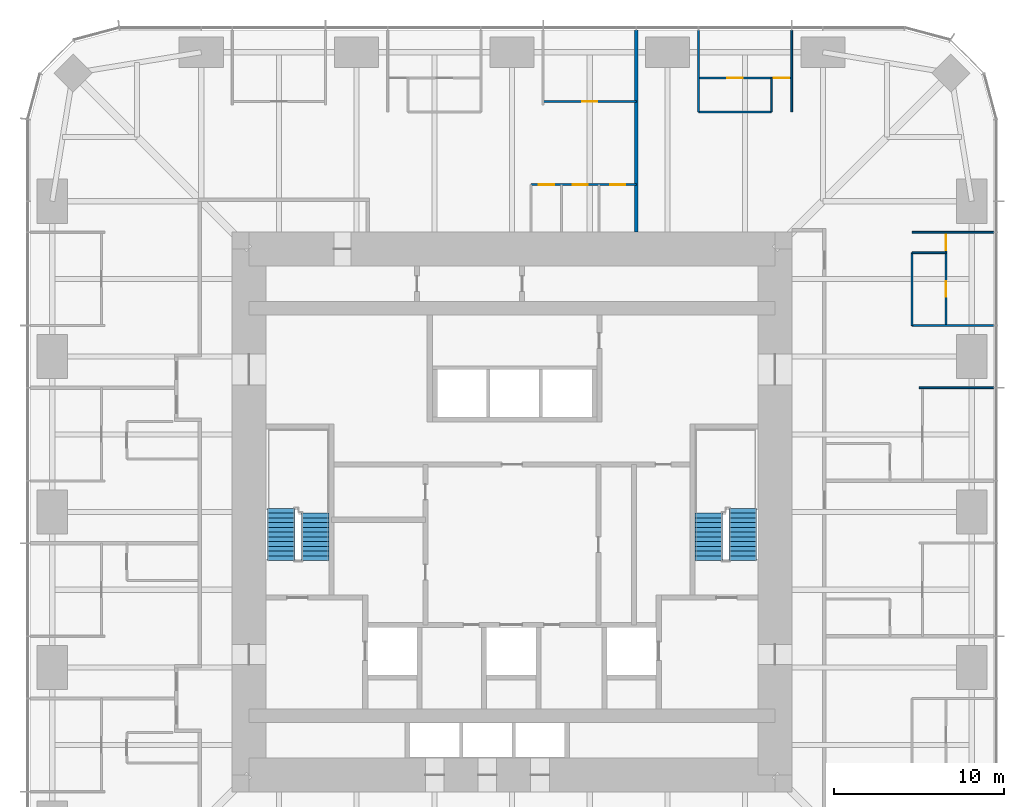
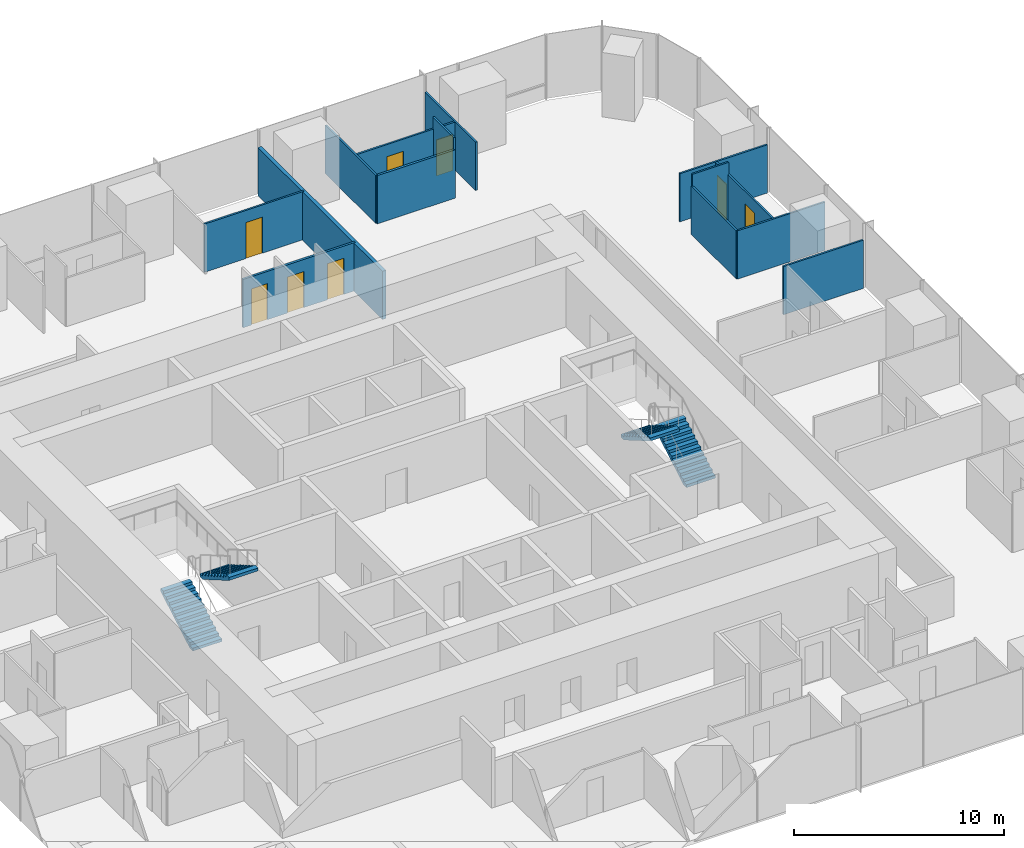
# One storey, part 12 of 13: 14 walls, 8 doors, 4 stair flights, 8 openings, 2 elements without a shape of their own.
"""IFC4 building model written with IfcOpenShell, lengths in metres."""

from ifc_helpers import new_model, si_unit, direction, frame, frame_2d, origin, place, context, subcontext, project, spatial, polyline, rectangle, outline, extrude, material, layer, layer_set, type_object, element, fill, aggregate, save


model = new_model("IFC4")

# Units and contexts
model_context = context("Model", 3, precision=1e-05, world=origin(), true_north=direction((0.0, 1.0)))
body_context = subcontext(model_context, "Body", "Model", "MODEL_VIEW")
ifc_project = project(units=[si_unit("LENGTHUNIT", "METRE"), si_unit("AREAUNIT", "SQUARE_METRE"), si_unit("VOLUMEUNIT", "CUBIC_METRE"), si_unit("PLANEANGLEUNIT", "RADIAN"), si_unit("MASSUNIT", "GRAM", prefix="KILO")], contexts=[model_context])

# Site, building, storey
site_placement = place(None, origin())
site = spatial("IfcSite", under=ifc_project, at=site_placement, CompositionType="ELEMENT")
building_placement = place(site_placement, origin())
building = spatial("IfcBuilding", under=site, at=building_placement, Name="Khuree Lantern Residences", CompositionType="ELEMENT")
storey_placement = place(building_placement, frame((0.0, 0.0, 163.5)))
storey = spatial("IfcBuildingStorey", under=building, at=storey_placement, Name="L41", CompositionType="ELEMENT", Elevation=163.5)

# Wall
ifc_material_1 = material(Name="Moisture-resistant gypsum board on steel studs", Category="steel")
ifc_layer_1 = layer(ifc_material_1, 0.125)
ifc_layer_set_1 = layer_set([ifc_layer_1], Name="BATHROOM WALL BTW125")
wall_type_1 = type_object("IfcWallType", Name="BATHROOM WALL BTW125", PredefinedType="PARTITIONING", material=ifc_layer_set_1)
wall_1_placement = place(storey_placement, frame((15.2880859375, 23.579833984375, 0.0), z_axis=(0.0, 0.0, 1.0), x_axis=(-1.0, 0.0, 0.0)))
element("IfcWall", 1, at=wall_1_placement, inside=storey, type_object=wall_type_1, Name="L41 BATHROOM WALL 02", PredefinedType="PARTITIONING", context=body_context, shape_type="SweptSolid", body=[
    extrude(rectangle(XDim=4.296142578125, YDim=0.125, at=frame_2d((2.14794921875, 0.0))), origin(), (0.0, 0.0, 1.0), 2.81005859375),
])

# Wall, openings, doors
wall_2_placement = place(storey_placement, frame((7.327880859375, 19.300048828125, 0.0), z_axis=(0.0, 0.0, 1.0), x_axis=(-1.0, 0.0, 0.0)))
wall_2 = element("IfcWall", 2, at=wall_2_placement, inside=storey, type_object=wall_type_1, Name="L41 BATHROOM WALL 03", PredefinedType="PARTITIONING", context=body_context, shape_type="SweptSolid", body=[
    extrude(rectangle(XDim=6.199951171875, YDim=0.125, at=frame_2d((3.10009765625, 0.0))), origin(), (0.0, 0.0, 1.0), 2.81005859375),
])
opening_1_placement = place(wall_2_placement, frame((0.64990234375, 0.0, 0.0)))
opening_1 = element("IfcOpeningElement", 3, at=opening_1_placement, cuts=wall_2, Name="Opening 41-039", PredefinedType="OPENING", context=body_context, shape_type="SweptSolid", body=[
    extrude(rectangle(XDim=0.89990234375, YDim=2.10009765625, at=frame_2d((0.449951171875, 1.050048828125))), frame((0.0, 0.072509765625, 0.0), z_axis=(0.0, -1.0, 0.0), x_axis=(1.0, 0.0, 0.0)), (0.0, 0.0, 1.0), 0.14501953125),
])
opening_2_placement = place(wall_2_placement, frame((2.85009765625, 0.0, 0.0)))
opening_2 = element("IfcOpeningElement", 4, at=opening_2_placement, cuts=wall_2, Name="Opening 41-040", PredefinedType="OPENING", context=body_context, shape_type="SweptSolid", body=[
    extrude(rectangle(XDim=0.89990234375, YDim=2.10009765625, at=frame_2d((0.449951171875, 1.050048828125))), frame((0.0, 0.072509765625, 0.0), z_axis=(0.0, -1.0, 0.0), x_axis=(1.0, 0.0, 0.0)), (0.0, 0.0, 1.0), 0.14501953125),
])
opening_3_placement = place(wall_2_placement, frame((4.85009765625, 0.0, 0.0)))
opening_3 = element("IfcOpeningElement", 5, at=opening_3_placement, cuts=wall_2, Name="Opening 41-041", PredefinedType="OPENING", context=body_context, shape_type="SweptSolid", body=[
    extrude(rectangle(XDim=0.89990234375, YDim=2.10009765625, at=frame_2d((0.449951171875, 1.050048828125))), frame((0.0, 0.072509765625, 0.0), z_axis=(0.0, -1.0, 0.0), x_axis=(1.0, 0.0, 0.0)), (0.0, 0.0, 1.0), 0.14501953125),
])
ifc_material_2 = material(Name="Timber door leaf in hardwood frame", Category="wood")
door_type_1 = type_object("IfcDoorType", Name="BATHROOM DOOR 900X2100", OperationType="SINGLE_SWING_LEFT", PredefinedType="DOOR", material=ifc_material_2)
door_1_placement = place(opening_1_placement, origin())
door_1 = element("IfcDoor", 6, at=door_1_placement, inside=storey, type_object=door_type_1, Name="Bathroom door 41-039", OperationType="SINGLE_SWING_LEFT", OverallHeight=2.10009765625, OverallWidth=0.89990234375, PredefinedType="DOOR", context=body_context, shape_type="SweptSolid", body=[
    extrude(rectangle(XDim=0.89990234375, YDim=2.10009765625, at=frame_2d((0.449951171875, 1.050048828125))), frame((0.0, 0.02490234375, 0.0), z_axis=(0.0, -1.0, 0.0), x_axis=(1.0, 0.0, 0.0)), (0.0, 0.0, 1.0), 0.050048828125),
])
fill(opening_1, door_1)
door_2_placement = place(opening_2_placement, origin())
door_2 = element("IfcDoor", 7, at=door_2_placement, inside=storey, type_object=door_type_1, Name="Bathroom door 41-040", OperationType="SINGLE_SWING_LEFT", OverallHeight=2.10009765625, OverallWidth=0.89990234375, PredefinedType="DOOR", context=body_context, shape_type="SweptSolid", body=[
    extrude(rectangle(XDim=0.89990234375, YDim=2.10009765625, at=frame_2d((0.449951171875, 1.050048828125))), frame((0.0, 0.02490234375, 0.0), z_axis=(0.0, -1.0, 0.0), x_axis=(1.0, 0.0, 0.0)), (0.0, 0.0, 1.0), 0.050048828125),
])
fill(opening_2, door_2)
door_type_2 = type_object("IfcDoorType", Name="DOOR 900X2100", OperationType="SINGLE_SWING_LEFT", PredefinedType="DOOR", material=ifc_material_2)
door_3_placement = place(opening_3_placement, origin())
door_3 = element("IfcDoor", 8, at=door_3_placement, inside=storey, type_object=door_type_2, Name="Store door 41-041", OperationType="SINGLE_SWING_LEFT", OverallHeight=2.10009765625, OverallWidth=0.89990234375, PredefinedType="DOOR", context=body_context, shape_type="SweptSolid", body=[
    extrude(rectangle(XDim=0.89990234375, YDim=2.10009765625, at=frame_2d((0.449951171875, 1.050048828125))), frame((0.0, 0.02490234375, 0.0), z_axis=(0.0, -1.0, 0.0), x_axis=(1.0, 0.0, 0.0)), (0.0, 0.0, 1.0), 0.050048828125),
])
fill(opening_3, door_3)

# Walls
ifc_material_3 = material(Name="Gypsum board on steel studs", Category="steel")
ifc_layer_2 = layer(ifc_material_3, 0.199951171875)
ifc_layer_set_2 = layer_set([ifc_layer_2], Name="DEMISING WALL DMW200 EI 90")
wall_type_2 = type_object("IfcWallType", Name="DEMISING WALL DMW200 EI 90", PredefinedType="PARTITIONING", material=ifc_layer_set_2)
wall_3_placement = place(storey_placement, frame((7.327880859375, 16.5, 0.0), z_axis=(0.0, 0.0, 1.0), x_axis=(0.0, 1.0, 0.0)))
element("IfcWall", 9, at=wall_3_placement, inside=storey, type_object=wall_type_2, Name="L41 DEMISING WALL 03", PredefinedType="PARTITIONING", context=body_context, shape_type="SweptSolid", body=[
    extrude(rectangle(XDim=11.89990234375, YDim=0.199951171875, at=frame_2d((5.949951171875, 0.0))), origin(), (0.0, 0.0, 1.0), 2.81005859375),
])
ifc_layer_3 = layer(ifc_material_3, 0.10009765625)
ifc_layer_set_3 = layer_set([ifc_layer_3], Name="PARTITION PT100")
wall_type_3 = type_object("IfcWallType", Name="PARTITION PT100", PredefinedType="PARTITIONING", material=ifc_layer_set_3)
wall_4_placement = place(storey_placement, frame((24.0, 7.327880859375, 0.0), z_axis=(0.0, 0.0, 1.0), x_axis=(1.0, 0.0, 0.0)))
element("IfcWall", 10, at=wall_4_placement, inside=storey, type_object=wall_type_3, Name="L41 PARTITION 02", PredefinedType="PARTITIONING", context=body_context, shape_type="SweptSolid", body=[
    extrude(rectangle(XDim=4.39990234375, YDim=0.10009765625, at=frame_2d((2.199951171875, 0.0))), origin(), (0.0, 0.0, 1.0), 2.81005859375),
])
for number, where, z_axis, x_axis, name in (
    (11, (23.579833984375, 10.991943359375, 0.0), (0.0, 0.0, 1.0), (1.0, 0.0, 0.0), "L41 PARTITION 02"),
    (12, (23.579833984375, 16.488037109375, 0.0), (0.0, 0.0, 1.0), (1.0, 0.0, 0.0), "L41 PARTITION 02"),
    (13, (16.488037109375, 23.579833984375, 0.0), (0.0, 0.0, 1.0), (0.0, 1.0, 0.0), "L41 PARTITION 02"),
    (14, (10.991943359375, 23.579833984375, 0.0), (0.0, 0.0, 1.0), (0.0, 1.0, 0.0), "L41 PARTITION 02"),
):
    element("IfcWall", number, at=place(storey_placement, frame(where, z_axis=z_axis, x_axis=x_axis)), inside=storey, type_object=wall_type_3, Name=name, PredefinedType="PARTITIONING", context=body_context, shape_type="SweptSolid", body=[
        extrude(rectangle(XDim=4.820068359375, YDim=0.10009765625, at=frame_2d((2.41015625, 0.0))), origin(), (0.0, 0.0, 1.0), 2.81005859375),
    ])

# Wall, openings, doors
wall_5_placement = place(storey_placement, frame((25.579833984375, 10.991943359375, 0.0), z_axis=(0.0, 0.0, 1.0), x_axis=(0.0, 1.0, 0.0)))
wall_5 = element("IfcWall", 15, at=wall_5_placement, inside=storey, type_object=wall_type_3, Name="L41 PARTITION 02", PredefinedType="PARTITIONING", context=body_context, shape_type="SweptSolid", body=[
    extrude(rectangle(XDim=5.49609375, YDim=0.10009765625, at=frame_2d((2.748046875, 0.0))), origin(), (0.0, 0.0, 1.0), 2.81005859375),
])
opening_4_placement = place(wall_5_placement, frame((4.446044921875, 0.0, 0.0)))
opening_4 = element("IfcOpeningElement", 16, at=opening_4_placement, cuts=wall_5, Name="Opening 41-028", PredefinedType="OPENING", context=body_context, shape_type="SweptSolid", body=[
    extrude(rectangle(XDim=0.89990234375, YDim=2.10009765625, at=frame_2d((0.449951171875, 1.050048828125))), frame((0.0, 0.06005859375, 0.0), z_axis=(0.0, -1.0, 0.0), x_axis=(1.0, 0.0, 0.0)), (0.0, 0.0, 1.0), 0.1201171875),
])
opening_5_placement = place(wall_5_placement, frame((1.697998046875, 0.0, 0.0)))
opening_5 = element("IfcOpeningElement", 17, at=opening_5_placement, cuts=wall_5, Name="Opening 41-029", PredefinedType="OPENING", context=body_context, shape_type="SweptSolid", body=[
    extrude(rectangle(XDim=0.89990234375, YDim=2.10009765625, at=frame_2d((0.449951171875, 1.050048828125))), frame((0.0, 0.06005859375, 0.0), z_axis=(0.0, -1.0, 0.0), x_axis=(1.0, 0.0, 0.0)), (0.0, 0.0, 1.0), 0.1201171875),
])
door_type_3 = type_object("IfcDoorType", Name="BEDROOM DOOR 900X2100", OperationType="SINGLE_SWING_LEFT", PredefinedType="DOOR", material=ifc_material_2)
door_4_placement = place(opening_4_placement, origin())
door_4 = element("IfcDoor", 18, at=door_4_placement, inside=storey, type_object=door_type_3, Name="Bedroom door 41-028", OperationType="SINGLE_SWING_LEFT", OverallHeight=2.10009765625, OverallWidth=0.89990234375, PredefinedType="DOOR", context=body_context, shape_type="SweptSolid", body=[
    extrude(rectangle(XDim=0.89990234375, YDim=2.10009765625, at=frame_2d((0.449951171875, 1.050048828125))), frame((0.0, 0.02490234375, 0.0), z_axis=(0.0, -1.0, 0.0), x_axis=(1.0, 0.0, 0.0)), (0.0, 0.0, 1.0), 0.050048828125),
])
fill(opening_4, door_4)
door_5_placement = place(opening_5_placement, origin())
door_5 = element("IfcDoor", 19, at=door_5_placement, inside=storey, type_object=door_type_2, Name="Wardrobe door 41-029", OperationType="SINGLE_SWING_LEFT", OverallHeight=2.10009765625, OverallWidth=0.89990234375, PredefinedType="DOOR", context=body_context, shape_type="SweptSolid", body=[
    extrude(rectangle(XDim=0.89990234375, YDim=2.10009765625, at=frame_2d((0.449951171875, 1.050048828125))), frame((0.0, 0.02490234375, 0.0), z_axis=(0.0, -1.0, 0.0), x_axis=(1.0, 0.0, 0.0)), (0.0, 0.0, 1.0), 0.050048828125),
])
fill(opening_5, door_5)

# Walls
wall_6_placement = place(storey_placement, frame((23.579833984375, 15.2880859375, 0.0), z_axis=(0.0, 0.0, 1.0), x_axis=(1.0, 0.0, 0.0)))
element("IfcWall", 20, at=wall_6_placement, inside=storey, type_object=wall_type_3, Name="L41 PARTITION 02", PredefinedType="PARTITIONING", context=body_context, shape_type="SweptSolid", body=[
    extrude(rectangle(XDim=2.0, YDim=0.10009765625, at=frame_2d((1.0, 0.0))), origin(), (0.0, 0.0, 1.0), 3.5),
])
wall_7_placement = place(storey_placement, frame((23.579833984375, 10.991943359375, 0.0), z_axis=(0.0, 0.0, 1.0), x_axis=(0.0, 1.0, 0.0)))
element("IfcWall", 21, at=wall_7_placement, inside=storey, type_object=wall_type_3, Name="L41 PARTITION 02", PredefinedType="PARTITIONING", context=body_context, shape_type="SweptSolid", body=[
    extrude(rectangle(XDim=4.296142578125, YDim=0.10009765625, at=frame_2d((2.14794921875, 0.0))), origin(), (0.0, 0.0, 1.0), 2.81005859375),
])

# Wall, openings, doors
wall_8_placement = place(storey_placement, frame((16.488037109375, 25.579833984375, 0.0), z_axis=(0.0, 0.0, 1.0), x_axis=(-1.0, 0.0, 0.0)))
wall_8 = element("IfcWall", 22, at=wall_8_placement, inside=storey, type_object=wall_type_3, Name="L41 PARTITION 02", PredefinedType="PARTITIONING", context=body_context, shape_type="SweptSolid", body=[
    extrude(rectangle(XDim=5.49609375, YDim=0.10009765625, at=frame_2d((2.748046875, 0.0))), origin(), (0.0, 0.0, 1.0), 2.81005859375),
])
opening_6_placement = place(wall_8_placement, frame((0.14990234375, 0.0, 0.0)))
opening_6 = element("IfcOpeningElement", 23, at=opening_6_placement, cuts=wall_8, Name="Opening 41-030", PredefinedType="OPENING", context=body_context, shape_type="SweptSolid", body=[
    extrude(rectangle(XDim=0.89990234375, YDim=2.10009765625, at=frame_2d((0.449951171875, 1.050048828125))), frame((0.0, 0.06005859375, 0.0), z_axis=(0.0, -1.0, 0.0), x_axis=(1.0, 0.0, 0.0)), (0.0, 0.0, 1.0), 0.1201171875),
])
opening_7_placement = place(wall_8_placement, frame((2.89794921875, 0.0, 0.0)))
opening_7 = element("IfcOpeningElement", 24, at=opening_7_placement, cuts=wall_8, Name="Opening 41-031", PredefinedType="OPENING", context=body_context, shape_type="SweptSolid", body=[
    extrude(rectangle(XDim=0.89990234375, YDim=2.10009765625, at=frame_2d((0.449951171875, 1.050048828125))), frame((0.0, 0.06005859375, 0.0), z_axis=(0.0, -1.0, 0.0), x_axis=(1.0, 0.0, 0.0)), (0.0, 0.0, 1.0), 0.1201171875),
])
door_6_placement = place(opening_7_placement, origin())
door_6 = element("IfcDoor", 25, at=door_6_placement, inside=storey, type_object=door_type_1, Name="Bathroom door 41-031", OperationType="SINGLE_SWING_LEFT", OverallHeight=2.10009765625, OverallWidth=0.89990234375, PredefinedType="DOOR", context=body_context, shape_type="SweptSolid", body=[
    extrude(rectangle(XDim=0.89990234375, YDim=2.10009765625, at=frame_2d((0.449951171875, 1.050048828125))), frame((0.0, 0.02490234375, 0.0), z_axis=(0.0, -1.0, 0.0), x_axis=(1.0, 0.0, 0.0)), (0.0, 0.0, 1.0), 0.050048828125),
])
fill(opening_7, door_6)
door_7_placement = place(opening_6_placement, origin())
door_7 = element("IfcDoor", 26, at=door_7_placement, inside=storey, type_object=door_type_3, Name="Bedroom door 41-030", OperationType="SINGLE_SWING_LEFT", OverallHeight=2.10009765625, OverallWidth=0.89990234375, PredefinedType="DOOR", context=body_context, shape_type="SweptSolid", body=[
    extrude(rectangle(XDim=0.89990234375, YDim=2.10009765625, at=frame_2d((0.449951171875, 1.050048828125))), frame((0.0, 0.02490234375, 0.0), z_axis=(0.0, -1.0, 0.0), x_axis=(1.0, 0.0, 0.0)), (0.0, 0.0, 1.0), 0.050048828125),
])
fill(opening_6, door_7)

# Wall
wall_9_placement = place(storey_placement, frame((15.2880859375, 23.579833984375, 0.0), z_axis=(0.0, 0.0, 1.0), x_axis=(0.0, 1.0, 0.0)))
element("IfcWall", 27, at=wall_9_placement, inside=storey, type_object=wall_type_3, Name="L41 PARTITION 02", PredefinedType="PARTITIONING", context=body_context, shape_type="SweptSolid", body=[
    extrude(rectangle(XDim=2.0, YDim=0.10009765625, at=frame_2d((1.0, 0.0))), origin(), (0.0, 0.0, 1.0), 3.5),
])

# Wall, opening, door
wall_10_placement = place(storey_placement, frame((7.327880859375, 24.199951171875, 0.0), z_axis=(0.0, 0.0, 1.0), x_axis=(-1.0, 0.0, 0.0)))
wall_10 = element("IfcWall", 28, at=wall_10_placement, inside=storey, type_object=wall_type_3, Name="L41 PARTITION 03", PredefinedType="PARTITIONING", context=body_context, shape_type="SweptSolid", body=[
    extrude(rectangle(XDim=5.495849609375, YDim=0.10009765625, at=frame_2d((2.748046875, 0.0))), origin(), (0.0, 0.0, 1.0), 2.81005859375),
])
opening_8_placement = place(wall_10_placement, frame((2.298095703125, 0.0, 0.0)))
opening_8 = element("IfcOpeningElement", 29, at=opening_8_placement, cuts=wall_10, Name="Opening 41-034", PredefinedType="OPENING", context=body_context, shape_type="SweptSolid", body=[
    extrude(rectangle(XDim=0.89990234375, YDim=2.10009765625, at=frame_2d((0.449951171875, 1.050048828125))), frame((0.0, 0.06005859375, 0.0), z_axis=(0.0, -1.0, 0.0), x_axis=(1.0, 0.0, 0.0)), (0.0, 0.0, 1.0), 0.1201171875),
])
door_8_placement = place(opening_8_placement, origin())
door_8 = element("IfcDoor", 30, at=door_8_placement, inside=storey, type_object=door_type_3, Name="Bedroom door 41-034", OperationType="SINGLE_SWING_LEFT", OverallHeight=2.10009765625, OverallWidth=0.89990234375, PredefinedType="DOOR", context=body_context, shape_type="SweptSolid", body=[
    extrude(rectangle(XDim=0.89990234375, YDim=2.10009765625, at=frame_2d((0.449951171875, 1.050048828125))), frame((0.0, 0.02490234375, 0.0), z_axis=(0.0, -1.0, 0.0), x_axis=(1.0, 0.0, 0.0)), (0.0, 0.0, 1.0), 0.050048828125),
])
fill(opening_8, door_8)

# Stair, stair flights
ifc_material_4 = material(Name="Concrete C40/50", Category="concrete")
stair_type = type_object("IfcStairType", Name="STAIR ST1 HALF TURN 3600", PredefinedType="HALF_TURN_STAIR", material=ifc_material_4)
stair_1_placement = place(storey_placement, origin())
stair_1 = element("IfcStair", 31, at=stair_1_placement, inside=storey, type_object=stair_type, Name="Stair ST1", PredefinedType="HALF_TURN_STAIR")
stair_flight_type = type_object("IfcStairFlightType", Name="STAIR FLIGHT SF1 1600", PredefinedType="STRAIGHT", material=ifc_material_4)
stair_flight_1_placement = place(storey_placement, frame((-13.60009765625, -2.860107421875, 0.0), z_axis=(0.0, 0.0, 1.0), x_axis=(0.0, 1.0, 0.0)))
stair_flight_1 = element("IfcStairFlight", 32, at=stair_flight_1_placement, type_object=stair_flight_type, Name="ST1 flight 1", NumberOfRisers=12, NumberOfTreads=11, PredefinedType="STRAIGHT", RiserHeight=0.163043478, TreadLength=0.28, context=body_context, shape_type="SweptSolid", body=[
    extrude(outline(polyline([(0.0, 0.0), (0.0, 0.1630859375), (0.280029296875, 0.1630859375), (0.280029296875, 0.326171875), (0.56005859375, 0.326171875), (0.56005859375, 0.489013671875), (0.840087890625, 0.489013671875), (0.840087890625, 0.652099609375), (1.1201171875, 0.652099609375), (1.1201171875, 0.815185546875), (1.39990234375, 0.815185546875), (1.39990234375, 0.978271484375), (1.679931640625, 0.978271484375), (1.679931640625, 1.141357421875), (1.9599609375, 1.141357421875), (1.9599609375, 1.304443359375), (2.239990234375, 1.304443359375), (2.239990234375, 1.46728515625), (2.52001953125, 1.46728515625), (2.52001953125, 1.63037109375), (2.800048828125, 1.63037109375), (2.800048828125, 1.79345703125), (3.080078125, 1.79345703125), (3.080078125, 1.95654296875), (3.080078125, 1.6201171875), (0.2978515625, 0.0), (0.0, 0.0)])), frame((0.0, 0.800048828125, 0.0), z_axis=(0.0, -1.0, 0.0), x_axis=(1.0, 0.0, 0.0)), (0.0, 0.0, 1.0), 1.60009765625),
])
stair_flight_2_placement = place(storey_placement, frame((-11.60009765625, -0.06005859375, 1.95654296875), z_axis=(0.0, 0.0, 1.0), x_axis=(0.0, -1.0, 0.0)))
stair_flight_2 = element("IfcStairFlight", 33, at=stair_flight_2_placement, type_object=stair_flight_type, Name="ST1 flight 2", NumberOfRisers=11, NumberOfTreads=10, PredefinedType="STRAIGHT", RiserHeight=0.163043478, TreadLength=0.28, context=body_context, shape_type="SweptSolid", body=[
    extrude(outline(polyline([(0.0, 0.0), (0.0, 0.1630859375), (0.280029296875, 0.1630859375), (0.280029296875, 0.326171875), (0.56005859375, 0.326171875), (0.56005859375, 0.489013671875), (0.840087890625, 0.489013671875), (0.840087890625, 0.652099609375), (1.1201171875, 0.652099609375), (1.1201171875, 0.815185546875), (1.39990234375, 0.815185546875), (1.39990234375, 0.978271484375), (1.679931640625, 0.978271484375), (1.679931640625, 1.141357421875), (1.9599609375, 1.141357421875), (1.9599609375, 1.304443359375), (2.239990234375, 1.304443359375), (2.239990234375, 1.46728515625), (2.52001953125, 1.46728515625), (2.52001953125, 1.63037109375), (2.800048828125, 1.63037109375), (2.800048828125, 1.79345703125), (2.800048828125, 1.45703125), (0.2978515625, 0.0), (0.0, 0.0)])), frame((0.0, 0.800048828125, 0.0), z_axis=(0.0, -1.0, 0.0), x_axis=(1.0, 0.0, 0.0)), (0.0, 0.0, 1.0), 1.60009765625),
])
aggregate(stair_1, [stair_flight_1, stair_flight_2])

stair_2_placement = place(storey_placement, origin())
stair_2 = element("IfcStair", 34, at=stair_2_placement, inside=storey, type_object=stair_type, Name="Stair ST2", PredefinedType="HALF_TURN_STAIR")
stair_flight_3_placement = place(storey_placement, frame((13.60009765625, -2.860107421875, 0.0), z_axis=(0.0, 0.0, 1.0), x_axis=(0.0, 1.0, 0.0)))
stair_flight_3 = element("IfcStairFlight", 35, at=stair_flight_3_placement, type_object=stair_flight_type, Name="ST2 flight 1", NumberOfRisers=12, NumberOfTreads=11, PredefinedType="STRAIGHT", RiserHeight=0.163043478, TreadLength=0.28, context=body_context, shape_type="SweptSolid", body=[
    extrude(outline(polyline([(0.0, 0.0), (0.0, 0.1630859375), (0.280029296875, 0.1630859375), (0.280029296875, 0.326171875), (0.56005859375, 0.326171875), (0.56005859375, 0.489013671875), (0.840087890625, 0.489013671875), (0.840087890625, 0.652099609375), (1.1201171875, 0.652099609375), (1.1201171875, 0.815185546875), (1.39990234375, 0.815185546875), (1.39990234375, 0.978271484375), (1.679931640625, 0.978271484375), (1.679931640625, 1.141357421875), (1.9599609375, 1.141357421875), (1.9599609375, 1.304443359375), (2.239990234375, 1.304443359375), (2.239990234375, 1.46728515625), (2.52001953125, 1.46728515625), (2.52001953125, 1.63037109375), (2.800048828125, 1.63037109375), (2.800048828125, 1.79345703125), (3.080078125, 1.79345703125), (3.080078125, 1.95654296875), (3.080078125, 1.6201171875), (0.2978515625, 0.0), (0.0, 0.0)])), frame((0.0, 0.800048828125, 0.0), z_axis=(0.0, -1.0, 0.0), x_axis=(1.0, 0.0, 0.0)), (0.0, 0.0, 1.0), 1.60009765625),
])
stair_flight_4_placement = place(storey_placement, frame((11.60009765625, -0.06005859375, 1.95654296875), z_axis=(0.0, 0.0, 1.0), x_axis=(0.0, -1.0, 0.0)))
stair_flight_4 = element("IfcStairFlight", 36, at=stair_flight_4_placement, type_object=stair_flight_type, Name="ST2 flight 2", NumberOfRisers=11, NumberOfTreads=10, PredefinedType="STRAIGHT", RiserHeight=0.163043478, TreadLength=0.28, context=body_context, shape_type="SweptSolid", body=[
    extrude(outline(polyline([(0.0, 0.0), (0.0, 0.1630859375), (0.280029296875, 0.1630859375), (0.280029296875, 0.326171875), (0.56005859375, 0.326171875), (0.56005859375, 0.489013671875), (0.840087890625, 0.489013671875), (0.840087890625, 0.652099609375), (1.1201171875, 0.652099609375), (1.1201171875, 0.815185546875), (1.39990234375, 0.815185546875), (1.39990234375, 0.978271484375), (1.679931640625, 0.978271484375), (1.679931640625, 1.141357421875), (1.9599609375, 1.141357421875), (1.9599609375, 1.304443359375), (2.239990234375, 1.304443359375), (2.239990234375, 1.46728515625), (2.52001953125, 1.46728515625), (2.52001953125, 1.63037109375), (2.800048828125, 1.63037109375), (2.800048828125, 1.79345703125), (2.800048828125, 1.45703125), (0.2978515625, 0.0), (0.0, 0.0)])), frame((0.0, 0.800048828125, 0.0), z_axis=(0.0, -1.0, 0.0), x_axis=(1.0, 0.0, 0.0)), (0.0, 0.0, 1.0), 1.60009765625),
])
aggregate(stair_2, [stair_flight_3, stair_flight_4])

save(model, "model.ifc")
